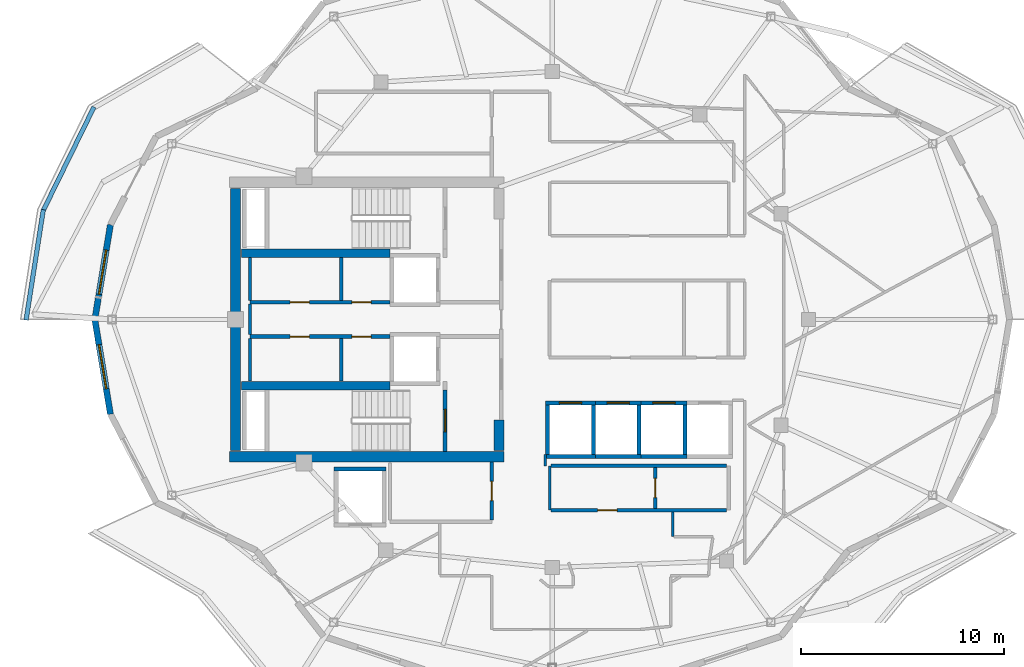
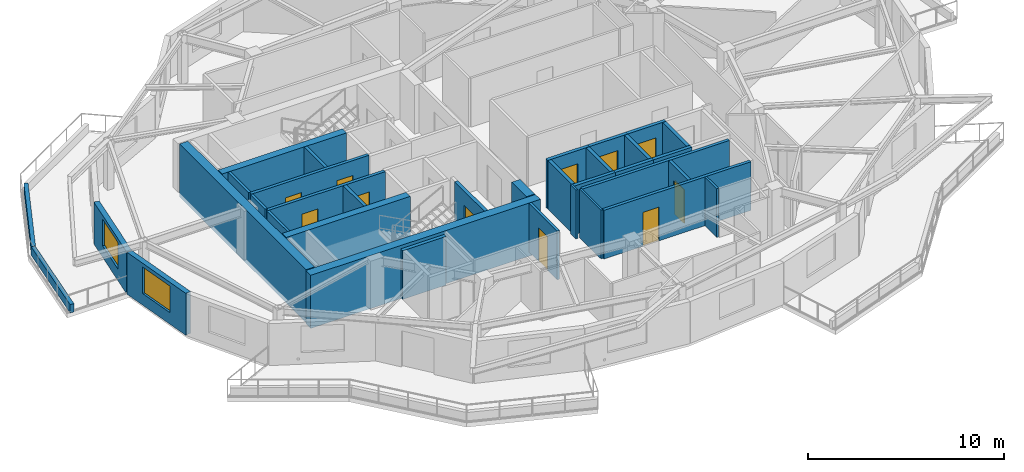
# One storey, part 4 of 9: 35 walls, 11 doors, 2 windows, 13 openings.
"""IFC4 building model written with IfcOpenShell, lengths in metres."""

from ifc_helpers import new_model, si_unit, direction, frame, frame_2d, origin, place, context, subcontext, project, spatial, rectangle, extrude, material, layer, layer_set, type_object, element, fill, save


model = new_model("IFC4")

# Units and contexts
model_context = context("Model", 3, precision=1e-05, world=origin(), true_north=direction((0.0, 1.0)))
body_context = subcontext(model_context, "Body", "Model", "MODEL_VIEW")
ifc_project = project(units=[si_unit("LENGTHUNIT", "METRE"), si_unit("AREAUNIT", "SQUARE_METRE"), si_unit("VOLUMEUNIT", "CUBIC_METRE"), si_unit("PLANEANGLEUNIT", "RADIAN"), si_unit("MASSUNIT", "GRAM", prefix="KILO")], contexts=[model_context])

# Site, building, storey
site_placement = place(None, origin())
site = spatial("IfcSite", under=ifc_project, at=site_placement, CompositionType="ELEMENT")
building_placement = place(site_placement, origin())
building = spatial("IfcBuilding", under=site, at=building_placement, Name="Kolvaren Gate Tower and Convention Centre", CompositionType="ELEMENT")
storey_placement = place(building_placement, frame((0.0, 0.0, 249.199951171875)))
storey = spatial("IfcBuildingStorey", under=building, at=storey_placement, Name="L67", CompositionType="ELEMENT", Elevation=249.199951171875)

# Wall, openings, doors
ifc_material_1 = material(Name="Autoclaved Aerated Masonry Blockwork Class 4 (4.0 MPa)", Category="masonry")
ifc_layer_1 = layer(ifc_material_1, 0.179931640625)
ifc_layer_set_1 = layer_set([ifc_layer_1], Name="Autoclaved Aerated Masonry Blockwork Class 4 (4.0 MPa)")
wall_type_1 = type_object("IfcWallType", Name="ARCH-WL-COMP-180", PredefinedType="SOLIDWALL", material=ifc_layer_set_1)
wall_1_placement = place(storey_placement, frame((15.25, 27.840087890625, 0.0), z_axis=(0.0, 0.0, 1.0), x_axis=(1.0, 0.0, 0.0)))
wall_1 = element("IfcWall", 1, at=wall_1_placement, inside=storey, type_object=wall_type_1, Name="Interior Partition WL-L67-INT-004", PredefinedType="SOLIDWALL", context=body_context, shape_type="SweptSolid", body=[
    extrude(rectangle(XDim=6.89990234375, YDim=0.179931640625, at=frame_2d((3.449951171875, 0.0))), origin(), (0.0, 0.0, 1.0), 3.030029296875),
])
opening_1_placement = place(wall_1_placement, frame((5.02001953125, 0.0, 0.0)))
opening_1 = element("IfcOpeningElement", 2, at=opening_1_placement, cuts=wall_1, Name="Opening DR-01", PredefinedType="OPENING", context=body_context, shape_type="SweptSolid", body=[
    extrude(rectangle(XDim=0.949951171875, YDim=2.10009765625, at=frame_2d((0.47509765625, 1.050048828125))), frame((0.0, 0.099853515625, 0.0), z_axis=(0.0, -1.0, 0.0), x_axis=(1.0, 0.0, 0.0)), (0.0, 0.0, 1.0), 0.199951171875),
])
opening_2_placement = place(wall_1_placement, frame((1.97998046875, 0.0, 0.0)))
opening_2 = element("IfcOpeningElement", 3, at=opening_2_placement, cuts=wall_1, Name="Opening DR-01", PredefinedType="OPENING", context=body_context, shape_type="SweptSolid", body=[
    extrude(rectangle(XDim=0.949951171875, YDim=2.10009765625, at=frame_2d((0.47509765625, 1.050048828125))), frame((0.0, 0.099853515625, 0.0), z_axis=(0.0, -1.0, 0.0), x_axis=(1.0, 0.0, 0.0)), (0.0, 0.0, 1.0), 0.199951171875),
])
ifc_material_2 = material(Name="Painted Architectural Steelwork ASTM A500 Grade C 345 MPa", Category="steel")
door_type_1 = type_object("IfcDoorType", Name="ARCH-DR-RISER-950", OperationType="SINGLE_SWING_RIGHT", PredefinedType="DOOR", material=ifc_material_2)
door_1_placement = place(opening_1_placement, origin())
door_1 = element("IfcDoor", 4, at=door_1_placement, inside=storey, type_object=door_type_1, Name="Electrical Switchgear Closet Door", OperationType="SINGLE_SWING_RIGHT", OverallHeight=2.10009765625, OverallWidth=0.949951171875, PredefinedType="DOOR", context=body_context, shape_type="SweptSolid", body=[
    extrude(rectangle(XDim=0.949951171875, YDim=2.10009765625, at=frame_2d((0.47509765625, 1.050048828125))), frame((0.0, 0.02490234375, 0.0), z_axis=(0.0, -1.0, 0.0), x_axis=(1.0, 0.0, 0.0)), (0.0, 0.0, 1.0), 0.050048828125),
])
fill(opening_1, door_1)
door_2_placement = place(opening_2_placement, origin())
door_2 = element("IfcDoor", 5, at=door_2_placement, inside=storey, type_object=door_type_1, Name="Staff Powder Washroom Door", OperationType="SINGLE_SWING_RIGHT", OverallHeight=2.10009765625, OverallWidth=0.949951171875, PredefinedType="DOOR", context=body_context, shape_type="SweptSolid", body=[
    extrude(rectangle(XDim=0.949951171875, YDim=2.10009765625, at=frame_2d((0.47509765625, 1.050048828125))), frame((0.0, 0.02490234375, 0.0), z_axis=(0.0, -1.0, 0.0), x_axis=(1.0, 0.0, 0.0)), (0.0, 0.0, 1.0), 0.050048828125),
])
fill(opening_2, door_2)

wall_2_placement = place(storey_placement, frame((15.25, 26.159912109375, 0.0), z_axis=(0.0, 0.0, 1.0), x_axis=(1.0, 0.0, 0.0)))
wall_2 = element("IfcWall", 6, at=wall_2_placement, inside=storey, type_object=wall_type_1, Name="Interior Partition WL-L67-INT-005", PredefinedType="SOLIDWALL", context=body_context, shape_type="SweptSolid", body=[
    extrude(rectangle(XDim=6.89990234375, YDim=0.179931640625, at=frame_2d((3.449951171875, 0.0))), origin(), (0.0, 0.0, 1.0), 3.030029296875),
])
opening_3_placement = place(wall_2_placement, frame((5.02001953125, 0.0, 0.0)))
opening_3 = element("IfcOpeningElement", 7, at=opening_3_placement, cuts=wall_2, Name="Opening DR-01", PredefinedType="OPENING", context=body_context, shape_type="SweptSolid", body=[
    extrude(rectangle(XDim=0.949951171875, YDim=2.10009765625, at=frame_2d((0.47509765625, 1.050048828125))), frame((0.0, 0.099853515625, 0.0), z_axis=(0.0, -1.0, 0.0), x_axis=(1.0, 0.0, 0.0)), (0.0, 0.0, 1.0), 0.199951171875),
])
opening_4_placement = place(wall_2_placement, frame((1.97998046875, 0.0, 0.0)))
opening_4 = element("IfcOpeningElement", 8, at=opening_4_placement, cuts=wall_2, Name="Opening DR-01", PredefinedType="OPENING", context=body_context, shape_type="SweptSolid", body=[
    extrude(rectangle(XDim=0.949951171875, YDim=2.10009765625, at=frame_2d((0.47509765625, 1.050048828125))), frame((0.0, 0.099853515625, 0.0), z_axis=(0.0, -1.0, 0.0), x_axis=(1.0, 0.0, 0.0)), (0.0, 0.0, 1.0), 0.199951171875),
])
door_3_placement = place(opening_3_placement, origin())
door_3 = element("IfcDoor", 9, at=door_3_placement, inside=storey, type_object=door_type_1, Name="Domestic Water Meter Closet Door", OperationType="SINGLE_SWING_LEFT", OverallHeight=2.10009765625, OverallWidth=0.949951171875, PredefinedType="DOOR", context=body_context, shape_type="SweptSolid", body=[
    extrude(rectangle(XDim=0.949951171875, YDim=2.10009765625, at=frame_2d((0.47509765625, 1.050048828125))), frame((0.0, 0.02490234375, 0.0), z_axis=(0.0, -1.0, 0.0), x_axis=(1.0, 0.0, 0.0)), (0.0, 0.0, 1.0), 0.050048828125),
])
fill(opening_3, door_3)
door_4_placement = place(opening_4_placement, origin())
door_4 = element("IfcDoor", 10, at=door_4_placement, inside=storey, type_object=door_type_1, Name="Janitor Equipment Store Door", OperationType="SINGLE_SWING_LEFT", OverallHeight=2.10009765625, OverallWidth=0.949951171875, PredefinedType="DOOR", context=body_context, shape_type="SweptSolid", body=[
    extrude(rectangle(XDim=0.949951171875, YDim=2.10009765625, at=frame_2d((0.47509765625, 1.050048828125))), frame((0.0, 0.02490234375, 0.0), z_axis=(0.0, -1.0, 0.0), x_axis=(1.0, 0.0, 0.0)), (0.0, 0.0, 1.0), 0.050048828125),
])
fill(opening_4, door_4)

# Walls
for number, where, z_axis, x_axis, name in (
    (11, (19.75, 23.9619140625, 0.0), (0.0, 0.0, 1.0), (0.0, 1.0, 0.0), "Interior Partition WL-L67-INT-007"),
    (12, (19.75, 27.931884765625, 0.0), (0.0, 0.0, 1.0), (0.0, 1.0, 0.0), "Interior Partition WL-L67-INT-008"),
):
    element("IfcWall", number, at=place(storey_placement, frame(where, z_axis=z_axis, x_axis=x_axis)), inside=storey, type_object=wall_type_1, Name=name, PredefinedType="SOLIDWALL", context=body_context, shape_type="SweptSolid", body=[
        extrude(rectangle(XDim=2.106201171875, YDim=0.179931640625, at=frame_2d((1.05322265625, 0.0))), origin(), (0.0, 0.0, 1.0), 3.030029296875),
    ])

# Wall, opening, door
wall_3_placement = place(storey_placement, frame((30.06201171875, 17.6201171875, 0.0), z_axis=(0.0, 0.0, 1.0), x_axis=(1.0, 0.0, 0.0)))
wall_3 = element("IfcWall", 13, at=wall_3_placement, inside=storey, type_object=wall_type_1, Name="Interior Partition WL-L67-INT-026", PredefinedType="SOLIDWALL", context=body_context, shape_type="SweptSolid", body=[
    extrude(rectangle(XDim=8.64599609375, YDim=0.179931640625, at=frame_2d((4.322998046875, 0.0))), origin(), (0.0, 0.0, 1.0), 3.030029296875),
])
opening_5_placement = place(wall_3_placement, frame((2.299072265625, 0.0, 0.0)))
opening_5 = element("IfcOpeningElement", 14, at=opening_5_placement, cuts=wall_3, Name="Opening DR-01", PredefinedType="OPENING", context=body_context, shape_type="SweptSolid", body=[
    extrude(rectangle(XDim=0.949951171875, YDim=2.10009765625, at=frame_2d((0.47509765625, 1.050048828125))), frame((0.0, 0.099853515625, 0.0), z_axis=(0.0, -1.0, 0.0), x_axis=(1.0, 0.0, 0.0)), (0.0, 0.0, 1.0), 0.199951171875),
])
door_5_placement = place(opening_5_placement, origin())
door_5 = element("IfcDoor", 15, at=door_5_placement, inside=storey, type_object=door_type_1, Name="Resident Quiet Library Door", OperationType="SINGLE_SWING_RIGHT", OverallHeight=2.10009765625, OverallWidth=0.949951171875, PredefinedType="DOOR", context=body_context, shape_type="SweptSolid", body=[
    extrude(rectangle(XDim=0.949951171875, YDim=2.10009765625, at=frame_2d((0.47509765625, 1.050048828125))), frame((0.0, 0.02490234375, 0.0), z_axis=(0.0, -1.0, 0.0), x_axis=(1.0, 0.0, 0.0)), (0.0, 0.0, 1.0), 0.050048828125),
])
fill(opening_5, door_5)

# Wall
wall_4_placement = place(storey_placement, frame((30.06201171875, 19.800048828125, 0.0), z_axis=(0.0, 0.0, 1.0), x_axis=(1.0, 0.0, 0.0)))
element("IfcWall", 16, at=wall_4_placement, inside=storey, type_object=wall_type_1, Name="Interior Partition WL-L67-INT-027", PredefinedType="SOLIDWALL", context=body_context, shape_type="SweptSolid", body=[
    extrude(rectangle(XDim=8.64599609375, YDim=0.179931640625, at=frame_2d((4.322998046875, 0.0))), origin(), (0.0, 0.0, 1.0), 3.030029296875),
])

# Wall, opening, door
wall_5_placement = place(storey_placement, frame((35.199951171875, 17.7119140625, 0.0), z_axis=(0.0, 0.0, 1.0), x_axis=(0.0, 1.0, 0.0)))
wall_5 = element("IfcWall", 17, at=wall_5_placement, inside=storey, type_object=wall_type_1, Name="Interior Partition WL-L67-INT-028", PredefinedType="SOLIDWALL", context=body_context, shape_type="SweptSolid", body=[
    extrude(rectangle(XDim=1.99609375, YDim=0.179931640625, at=frame_2d((0.998046875, 0.0))), origin(), (0.0, 0.0, 1.0), 3.030029296875),
])
opening_6_placement = place(wall_5_placement, frame((0.52294921875, 0.0, 0.0)))
opening_6 = element("IfcOpeningElement", 18, at=opening_6_placement, cuts=wall_5, Name="Opening DR-01", PredefinedType="OPENING", context=body_context, shape_type="SweptSolid", body=[
    extrude(rectangle(XDim=0.949951171875, YDim=2.10009765625, at=frame_2d((0.47509765625, 1.050048828125))), frame((0.0, 0.099853515625, 0.0), z_axis=(0.0, -1.0, 0.0), x_axis=(1.0, 0.0, 0.0)), (0.0, 0.0, 1.0), 0.199951171875),
])
door_6_placement = place(opening_6_placement, origin())
door_6 = element("IfcDoor", 19, at=door_6_placement, inside=storey, type_object=door_type_1, Name="Smart-Metering Room Door", OperationType="SINGLE_SWING_RIGHT", OverallHeight=2.10009765625, OverallWidth=0.949951171875, PredefinedType="DOOR", context=body_context, shape_type="SweptSolid", body=[
    extrude(rectangle(XDim=0.949951171875, YDim=2.10009765625, at=frame_2d((0.47509765625, 1.050048828125))), frame((0.0, 0.02490234375, 0.0), z_axis=(0.0, -1.0, 0.0), x_axis=(1.0, 0.0, 0.0)), (0.0, 0.0, 1.0), 0.050048828125),
])
fill(opening_6, door_6)

# Walls
ifc_material_3 = material(Name="Fire-Rated Acoustic Gypsum Stud Partition", Category="gypsum")
ifc_layer_2 = layer(ifc_material_3, 0.1201171875)
ifc_layer_set_2 = layer_set([ifc_layer_2], Name="Fire-Rated Acoustic Gypsum Stud Partition")
wall_type_2 = type_object("IfcWallType", Name="ARCH-WL-PART-120", PredefinedType="PARTITIONING", material=ifc_layer_set_2)
wall_6_placement = place(storey_placement, frame((30.0, 17.6201171875, 0.0), z_axis=(0.0, 0.0, 1.0), x_axis=(0.0, 1.0, 0.0)))
element("IfcWall", 20, at=wall_6_placement, inside=storey, type_object=wall_type_2, Name="Interior Partition WL-L67-INT-015", PredefinedType="PARTITIONING", context=body_context, shape_type="SweptSolid", body=[
    extrude(rectangle(XDim=2.179931640625, YDim=0.1201171875, at=frame_2d((1.08984375, 0.0))), origin(), (0.0, 0.0, 1.0), 3.030029296875),
])
wall_7_placement = place(storey_placement, frame((29.780029296875, 19.800048828125, 0.0), z_axis=(0.0, 0.0, 1.0), x_axis=(0.0, 1.0, 0.0)))
element("IfcWall", 21, at=wall_7_placement, inside=storey, type_object=wall_type_2, Name="Interior Partition WL-L67-INT-051", PredefinedType="PARTITIONING", context=body_context, shape_type="SweptSolid", body=[
    extrude(rectangle(XDim=0.56005859375, YDim=0.1201171875, at=frame_2d((0.280029296875, 0.0))), origin(), (0.0, 0.0, 1.0), 3.030029296875),
])
wall_8_placement = place(storey_placement, frame((36.050048828125, 16.320068359375, 0.0), z_axis=(0.0, 0.0, 1.0), x_axis=(0.0, 1.0, 0.0)))
element("IfcWall", 22, at=wall_8_placement, inside=storey, type_object=wall_type_2, Name="Interior Partition WL-L67-INT-052", PredefinedType="PARTITIONING", context=body_context, shape_type="SweptSolid", body=[
    extrude(rectangle(XDim=1.2080078125, YDim=0.1201171875, at=frame_2d((0.60400390625, 0.0))), origin(), (0.0, 0.0, 1.0), 3.030029296875),
])
ifc_material_4 = material(Name="Piedmont Cream Honed Limestone Cladding", Category="masonry")
ifc_layer_3 = layer(ifc_material_4, 0.219970703125)
ifc_layer_set_3 = layer_set([ifc_layer_3], Name="Piedmont Cream Honed Limestone Cladding")
wall_type_3 = type_object("IfcWallType", Name="ARCH-WL-PLANTER-220", PredefinedType="PARAPET", material=ifc_layer_set_3)
wall_9_placement = place(storey_placement, frame((5.078857421875, 32.337646484375, 0.0), z_axis=(0.0, 0.0, 1.0), x_axis=(0.440058847499, 0.897968936399, 0.0)))
element("IfcWall", 23, at=wall_9_placement, inside=storey, type_object=wall_type_3, Name="Vertical-Forest Balcony Stone Planter Kerb PK-L67-2.2", PredefinedType="PARAPET", context=body_context, shape_type="SweptSolid", body=[
    extrude(rectangle(XDim=5.689453125, YDim=0.219970703125, at=frame_2d((2.8447265625, 0.0))), origin(), (0.0, 0.0, 1.0), 0.52001953125),
])
wall_10_placement = place(storey_placement, frame((4.243408203125, 26.970703125, 0.0), z_axis=(0.0, 0.0, 1.0), x_axis=(0.154441975483, 0.988001860428, 0.0)))
element("IfcWall", 24, at=wall_10_placement, inside=storey, type_object=wall_type_3, Name="Vertical-Forest Balcony Stone Planter Kerb PK-L67-2.3", PredefinedType="PARAPET", context=body_context, shape_type="SweptSolid", body=[
    extrude(rectangle(XDim=5.49169921875, YDim=0.219970703125, at=frame_2d((2.745849609375, 0.0))), origin(), (0.0, 0.0, 1.0), 0.52001953125),
])
ifc_layer_4 = layer(ifc_material_1, 0.199951171875)
ifc_layer_set_4 = layer_set([ifc_layer_4], Name="Autoclaved Aerated Masonry Blockwork Class 4 (4.0 MPa)")
wall_type_4 = type_object("IfcWallType", Name="ARCH-WL-SHAFT-200", PredefinedType="SOLIDWALL", material=ifc_layer_set_4)
wall_11_placement = place(storey_placement, frame((19.39990234375, 19.64990234375, 0.0), z_axis=(0.0, 0.0, 1.0), x_axis=(1.0, 0.0, 0.0)))
element("IfcWall", 25, at=wall_11_placement, inside=storey, type_object=wall_type_4, Name="Elevator SV-01 L67 Fire Shaft Wall N", PredefinedType="SOLIDWALL", context=body_context, shape_type="SweptSolid", body=[
    extrude(rectangle(XDim=2.550048828125, YDim=0.199951171875, at=frame_2d((1.27490234375, 0.0))), origin(), (0.0, 0.0, 1.0), 3.030029296875),
])

# Wall, opening, door
wall_12_placement = place(storey_placement, frame((29.800048828125, 22.89990234375, 0.0), z_axis=(0.0, 0.0, 1.0), x_axis=(1.0, 0.0, 0.0)))
wall_12 = element("IfcWall", 26, at=wall_12_placement, inside=storey, type_object=wall_type_4, Name="Elevator PL-09 L67 Fire Shaft Wall N", PredefinedType="SOLIDWALL", context=body_context, shape_type="SweptSolid", body=[
    extrude(rectangle(XDim=2.449951171875, YDim=0.199951171875, at=frame_2d((1.22509765625, 0.0))), origin(), (0.0, 0.0, 1.0), 3.030029296875),
])
opening_7_placement = place(wall_12_placement, frame((0.675048828125, 0.0, 0.0)))
opening_7 = element("IfcOpeningElement", 27, at=opening_7_placement, cuts=wall_12, Name="Opening LD", PredefinedType="OPENING", context=body_context, shape_type="SweptSolid", body=[
    extrude(rectangle(XDim=1.10009765625, YDim=2.199951171875, at=frame_2d((0.550048828125, 1.10009765625))), frame((0.0, 0.10986328125, 0.0), z_axis=(0.0, -1.0, 0.0), x_axis=(1.0, 0.0, 0.0)), (0.0, 0.0, 1.0), 0.219970703125),
])
ifc_material_5 = material(Name="Brushed Stainless Steel Grade 316L", Category="steel")
door_type_2 = type_object("IfcDoorType", Name="ARCH-DR-LIFT-1100", OperationType="SLIDING_TO_LEFT", PredefinedType="DOOR", material=ifc_material_5)
door_7_placement = place(opening_7_placement, origin())
door_7 = element("IfcDoor", 28, at=door_7_placement, inside=storey, type_object=door_type_2, Name="Elevator PL-09 L67 Sliding Landing Door", OperationType="SLIDING_TO_LEFT", OverallHeight=2.199951171875, OverallWidth=1.10009765625, PredefinedType="DOOR", context=body_context, shape_type="SweptSolid", body=[
    extrude(rectangle(XDim=1.10009765625, YDim=2.199951171875, at=frame_2d((0.550048828125, 1.10009765625))), frame((0.0, 0.02490234375, 0.0), z_axis=(0.0, -1.0, 0.0), x_axis=(1.0, 0.0, 0.0)), (0.0, 0.0, 1.0), 0.050048828125),
])
fill(opening_7, door_7)

# Walls
wall_13_placement = place(storey_placement, frame((29.800048828125, 20.25, 0.0), z_axis=(0.0, 0.0, 1.0), x_axis=(1.0, 0.0, 0.0)))
element("IfcWall", 29, at=wall_13_placement, inside=storey, type_object=wall_type_4, Name="Elevator PL-09 L67 Fire Shaft Wall S", PredefinedType="SOLIDWALL", context=body_context, shape_type="SweptSolid", body=[
    extrude(rectangle(XDim=2.449951171875, YDim=0.199951171875, at=frame_2d((1.22509765625, 0.0))), origin(), (0.0, 0.0, 1.0), 3.030029296875),
])
for number, where, z_axis, x_axis, name in (
    (30, (29.89990234375, 20.360107421875, 0.0), (0.0, 0.0, 1.0), (0.0, 1.0, 0.0), "Elevator PL-09 L67 Fire Shaft Wall W"),
    (31, (32.14990234375, 20.360107421875, 0.0), (0.0, 0.0, 1.0), (0.0, 1.0, 0.0), "Elevator PL-09 L67 Fire Shaft Wall E"),
):
    element("IfcWall", number, at=place(storey_placement, frame(where, z_axis=z_axis, x_axis=x_axis)), inside=storey, type_object=wall_type_4, Name=name, PredefinedType="SOLIDWALL", context=body_context, shape_type="SweptSolid", body=[
        extrude(rectangle(XDim=2.429931640625, YDim=0.199951171875, at=frame_2d((1.21484375, 0.0))), origin(), (0.0, 0.0, 1.0), 3.030029296875),
    ])

# Wall, opening, door
wall_14_placement = place(storey_placement, frame((32.25, 22.89990234375, 0.0), z_axis=(0.0, 0.0, 1.0), x_axis=(1.0, 0.0, 0.0)))
wall_14 = element("IfcWall", 32, at=wall_14_placement, inside=storey, type_object=wall_type_4, Name="Elevator PL-10 L67 Fire Shaft Wall N", PredefinedType="SOLIDWALL", context=body_context, shape_type="SweptSolid", body=[
    extrude(rectangle(XDim=2.25, YDim=0.199951171875, at=frame_2d((1.125, 0.0))), origin(), (0.0, 0.0, 1.0), 3.030029296875),
])
opening_8_placement = place(wall_14_placement, frame((0.574951171875, 0.0, 0.0)))
opening_8 = element("IfcOpeningElement", 33, at=opening_8_placement, cuts=wall_14, Name="Opening LD", PredefinedType="OPENING", context=body_context, shape_type="SweptSolid", body=[
    extrude(rectangle(XDim=1.10009765625, YDim=2.199951171875, at=frame_2d((0.550048828125, 1.10009765625))), frame((0.0, 0.10986328125, 0.0), z_axis=(0.0, -1.0, 0.0), x_axis=(1.0, 0.0, 0.0)), (0.0, 0.0, 1.0), 0.219970703125),
])
door_8_placement = place(opening_8_placement, origin())
door_8 = element("IfcDoor", 34, at=door_8_placement, inside=storey, type_object=door_type_2, Name="Elevator PL-10 L67 Sliding Landing Door", OperationType="SLIDING_TO_LEFT", OverallHeight=2.199951171875, OverallWidth=1.10009765625, PredefinedType="DOOR", context=body_context, shape_type="SweptSolid", body=[
    extrude(rectangle(XDim=1.10009765625, YDim=2.199951171875, at=frame_2d((0.550048828125, 1.10009765625))), frame((0.0, 0.02490234375, 0.0), z_axis=(0.0, -1.0, 0.0), x_axis=(1.0, 0.0, 0.0)), (0.0, 0.0, 1.0), 0.050048828125),
])
fill(opening_8, door_8)

# Walls
wall_15_placement = place(storey_placement, frame((32.25, 20.25, 0.0), z_axis=(0.0, 0.0, 1.0), x_axis=(1.0, 0.0, 0.0)))
element("IfcWall", 35, at=wall_15_placement, inside=storey, type_object=wall_type_4, Name="Elevator PL-10 L67 Fire Shaft Wall S", PredefinedType="SOLIDWALL", context=body_context, shape_type="SweptSolid", body=[
    extrude(rectangle(XDim=2.25, YDim=0.199951171875, at=frame_2d((1.125, 0.0))), origin(), (0.0, 0.0, 1.0), 3.030029296875),
])
wall_16_placement = place(storey_placement, frame((34.39990234375, 20.360107421875, 0.0), z_axis=(0.0, 0.0, 1.0), x_axis=(0.0, 1.0, 0.0)))
element("IfcWall", 36, at=wall_16_placement, inside=storey, type_object=wall_type_4, Name="Elevator PL-10 L67 Fire Shaft Wall E", PredefinedType="SOLIDWALL", context=body_context, shape_type="SweptSolid", body=[
    extrude(rectangle(XDim=2.429931640625, YDim=0.199951171875, at=frame_2d((1.21484375, 0.0))), origin(), (0.0, 0.0, 1.0), 3.030029296875),
])

# Wall, opening, door
wall_17_placement = place(storey_placement, frame((34.5, 22.89990234375, 0.0), z_axis=(0.0, 0.0, 1.0), x_axis=(1.0, 0.0, 0.0)))
wall_17 = element("IfcWall", 37, at=wall_17_placement, inside=storey, type_object=wall_type_4, Name="Elevator PL-11 L67 Fire Shaft Wall N", PredefinedType="SOLIDWALL", context=body_context, shape_type="SweptSolid", body=[
    extrude(rectangle(XDim=2.25, YDim=0.199951171875, at=frame_2d((1.125, 0.0))), origin(), (0.0, 0.0, 1.0), 3.030029296875),
])
opening_9_placement = place(wall_17_placement, frame((0.574951171875, 0.0, 0.0)))
opening_9 = element("IfcOpeningElement", 38, at=opening_9_placement, cuts=wall_17, Name="Opening LD", PredefinedType="OPENING", context=body_context, shape_type="SweptSolid", body=[
    extrude(rectangle(XDim=1.10009765625, YDim=2.199951171875, at=frame_2d((0.550048828125, 1.10009765625))), frame((0.0, 0.10986328125, 0.0), z_axis=(0.0, -1.0, 0.0), x_axis=(1.0, 0.0, 0.0)), (0.0, 0.0, 1.0), 0.219970703125),
])
door_9_placement = place(opening_9_placement, origin())
door_9 = element("IfcDoor", 39, at=door_9_placement, inside=storey, type_object=door_type_2, Name="Elevator PL-11 L67 Sliding Landing Door", OperationType="SLIDING_TO_LEFT", OverallHeight=2.199951171875, OverallWidth=1.10009765625, PredefinedType="DOOR", context=body_context, shape_type="SweptSolid", body=[
    extrude(rectangle(XDim=1.10009765625, YDim=2.199951171875, at=frame_2d((0.550048828125, 1.10009765625))), frame((0.0, 0.02490234375, 0.0), z_axis=(0.0, -1.0, 0.0), x_axis=(1.0, 0.0, 0.0)), (0.0, 0.0, 1.0), 0.050048828125),
])
fill(opening_9, door_9)

# Walls
wall_18_placement = place(storey_placement, frame((34.5, 20.25, 0.0), z_axis=(0.0, 0.0, 1.0), x_axis=(1.0, 0.0, 0.0)))
element("IfcWall", 40, at=wall_18_placement, inside=storey, type_object=wall_type_4, Name="Elevator PL-11 L67 Fire Shaft Wall S", PredefinedType="SOLIDWALL", context=body_context, shape_type="SweptSolid", body=[
    extrude(rectangle(XDim=2.25, YDim=0.199951171875, at=frame_2d((1.125, 0.0))), origin(), (0.0, 0.0, 1.0), 3.030029296875),
])
wall_19_placement = place(storey_placement, frame((36.64990234375, 20.360107421875, 0.0), z_axis=(0.0, 0.0, 1.0), x_axis=(0.0, 1.0, 0.0)))
element("IfcWall", 41, at=wall_19_placement, inside=storey, type_object=wall_type_4, Name="Elevator PL-11 L67 Fire Shaft Wall E", PredefinedType="SOLIDWALL", context=body_context, shape_type="SweptSolid", body=[
    extrude(rectangle(XDim=2.429931640625, YDim=0.199951171875, at=frame_2d((1.21484375, 0.0))), origin(), (0.0, 0.0, 1.0), 3.030029296875),
])

# Wall, opening, window
ifc_layer_5 = layer(ifc_material_4, 0.300048828125)
ifc_layer_set_5 = layer_set([ifc_layer_5], Name="Piedmont Cream Honed Limestone Cladding")
wall_type_5 = type_object("IfcWallType", Name="ARCH-WL-STONE-300", PredefinedType="SOLIDWALL", material=ifc_layer_set_5)
wall_20_placement = place(storey_placement, frame((7.625, 27.0, 0.0), z_axis=(0.0, 0.0, 1.0), x_axis=(0.162369371657, 0.986730047758, 0.0)))
wall_20 = element("IfcWall", 42, at=wall_20_placement, inside=storey, type_object=wall_type_5, Name="Tower L67 Honed Stone Spandrel Wall EW-11", PredefinedType="SOLIDWALL", context=body_context, shape_type="SweptSolid", body=[
    extrude(rectangle(XDim=4.721435546875, YDim=0.300048828125, at=frame_2d((2.36083984375, 0.0))), origin(), (0.0, 0.0, 1.0), 2.60498046875),
])
opening_10_placement = place(wall_20_placement, frame((1.260986328125, 0.0, 0.719970703125)))
opening_10 = element("IfcOpeningElement", 43, at=opening_10_placement, cuts=wall_20, Name="Opening W-03", PredefinedType="OPENING", context=body_context, shape_type="SweptSolid", body=[
    extrude(rectangle(XDim=2.199951171875, YDim=1.64990234375, at=frame_2d((1.10009765625, 0.824951171875))), frame((0.0, 0.159912109375, 0.0), z_axis=(0.0, -1.0, 0.0), x_axis=(1.0, 0.0, 0.0)), (0.0, 0.0, 1.0), 0.320068359375),
])
ifc_material_6 = material(Name="Low-E Triple Insulated Glazing Unit 44 mm", Category="glass")
window_type = type_object("IfcWindowType", Name="ARCH-WN-RES-2200", PartitioningType="SINGLE_PANEL", PredefinedType="WINDOW", material=ifc_material_6)
window_1_placement = place(opening_10_placement, origin())
window_1 = element("IfcWindow", 44, at=window_1_placement, inside=storey, type_object=window_type, Name="Tower L67 Punched Stone Facade Window W-11", OverallHeight=1.64990234375, OverallWidth=2.199951171875, PartitioningType="SINGLE_PANEL", PredefinedType="WINDOW", context=body_context, shape_type="SweptSolid", body=[
    extrude(rectangle(XDim=2.199951171875, YDim=1.64990234375, at=frame_2d((1.10009765625, 0.824951171875))), frame((0.0, 0.030029296875, 0.0), z_axis=(0.0, -1.0, 0.0), x_axis=(1.0, 0.0, 0.0)), (0.0, 0.0, 1.0), 0.06005859375),
])
fill(opening_10, window_1)

wall_21_placement = place(storey_placement, frame((7.625, 27.0, 0.0), z_axis=(0.0, 0.0, 1.0), x_axis=(0.162369371657, -0.986730047758, 0.0)))
wall_21 = element("IfcWall", 45, at=wall_21_placement, inside=storey, type_object=wall_type_5, Name="Tower L67 Honed Stone Spandrel Wall EW-12", PredefinedType="SOLIDWALL", context=body_context, shape_type="SweptSolid", body=[
    extrude(rectangle(XDim=4.721435546875, YDim=0.300048828125, at=frame_2d((2.36083984375, 0.0))), origin(), (0.0, 0.0, 1.0), 2.60498046875),
])
opening_11_placement = place(wall_21_placement, frame((1.260986328125, 0.0, 0.719970703125)))
opening_11 = element("IfcOpeningElement", 46, at=opening_11_placement, cuts=wall_21, Name="Opening W-03", PredefinedType="OPENING", context=body_context, shape_type="SweptSolid", body=[
    extrude(rectangle(XDim=2.199951171875, YDim=1.64990234375, at=frame_2d((1.10009765625, 0.824951171875))), frame((0.0, 0.159912109375, 0.0), z_axis=(0.0, -1.0, 0.0), x_axis=(1.0, 0.0, 0.0)), (0.0, 0.0, 1.0), 0.320068359375),
])
window_2_placement = place(opening_11_placement, origin())
window_2 = element("IfcWindow", 47, at=window_2_placement, inside=storey, type_object=window_type, Name="Tower L67 Punched Stone Facade Window W-12", OverallHeight=1.64990234375, OverallWidth=2.199951171875, PartitioningType="SINGLE_PANEL", PredefinedType="WINDOW", context=body_context, shape_type="SweptSolid", body=[
    extrude(rectangle(XDim=2.199951171875, YDim=1.64990234375, at=frame_2d((1.10009765625, 0.824951171875))), frame((0.0, 0.030029296875, 0.0), z_axis=(0.0, -1.0, 0.0), x_axis=(1.0, 0.0, 0.0)), (0.0, 0.0, 1.0), 0.06005859375),
])
fill(opening_11, window_2)

# Walls
ifc_material_7 = material(Name="Moisture-Resistant Cement-Board Acoustic Partition", Category="gypsum")
ifc_layer_6 = layer(ifc_material_7, 0.14990234375)
ifc_layer_set_6 = layer_set([ifc_layer_6], Name="Moisture-Resistant Cement-Board Acoustic Partition")
wall_type_6 = type_object("IfcWallType", Name="ARCH-WL-WET-150", PredefinedType="PARTITIONING", material=ifc_layer_set_6)
wall_22_placement = place(storey_placement, frame((15.25, 23.9619140625, 0.0), z_axis=(0.0, 0.0, 1.0), x_axis=(0.0, 1.0, 0.0)))
element("IfcWall", 48, at=wall_22_placement, inside=storey, type_object=wall_type_6, Name="Interior Partition WL-L67-INT-006", PredefinedType="PARTITIONING", context=body_context, shape_type="SweptSolid", body=[
    extrude(rectangle(XDim=2.106201171875, YDim=0.14990234375, at=frame_2d((1.05322265625, 0.0))), origin(), (0.0, 0.0, 1.0), 3.030029296875),
])
wall_23_placement = place(storey_placement, frame((15.25, 26.251953125, 0.0), z_axis=(0.0, 0.0, 1.0), x_axis=(0.0, 1.0, 0.0)))
element("IfcWall", 49, at=wall_23_placement, inside=storey, type_object=wall_type_6, Name="Interior Partition WL-L67-INT-006 (2)", PredefinedType="PARTITIONING", context=body_context, shape_type="SweptSolid", body=[
    extrude(rectangle(XDim=1.49609375, YDim=0.14990234375, at=frame_2d((0.748046875, 0.0))), origin(), (0.0, 0.0, 1.0), 3.030029296875),
])
wall_24_placement = place(storey_placement, frame((15.25, 27.931884765625, 0.0), z_axis=(0.0, 0.0, 1.0), x_axis=(0.0, 1.0, 0.0)))
element("IfcWall", 50, at=wall_24_placement, inside=storey, type_object=wall_type_6, Name="Interior Partition WL-L67-INT-006 (3)", PredefinedType="PARTITIONING", context=body_context, shape_type="SweptSolid", body=[
    extrude(rectangle(XDim=2.106201171875, YDim=0.14990234375, at=frame_2d((1.05322265625, 0.0))), origin(), (0.0, 0.0, 1.0), 3.030029296875),
])

# Wall, opening, door
wall_25_placement = place(storey_placement, frame((27.14990234375, 17.126953125, 0.0), z_axis=(0.0, 0.0, 1.0), x_axis=(0.0, 1.0, 0.0)))
wall_25 = element("IfcWall", 51, at=wall_25_placement, inside=storey, type_object=wall_type_6, Name="Interior Partition WL-L67-INT-012", PredefinedType="PARTITIONING", context=body_context, shape_type="SweptSolid", body=[
    extrude(rectangle(XDim=2.87109375, YDim=0.14990234375, at=frame_2d((1.435546875, 0.0))), origin(), (0.0, 0.0, 1.0), 3.030029296875),
])
opening_12_placement = place(wall_25_placement, frame((0.96044921875, 0.0, 0.0)))
opening_12 = element("IfcOpeningElement", 52, at=opening_12_placement, cuts=wall_25, Name="Opening DR-01", PredefinedType="OPENING", context=body_context, shape_type="SweptSolid", body=[
    extrude(rectangle(XDim=0.949951171875, YDim=2.10009765625, at=frame_2d((0.47509765625, 1.050048828125))), frame((0.0, 0.0849609375, 0.0), z_axis=(0.0, -1.0, 0.0), x_axis=(1.0, 0.0, 0.0)), (0.0, 0.0, 1.0), 0.169921875),
])
door_10_placement = place(opening_12_placement, origin())
door_10 = element("IfcDoor", 53, at=door_10_placement, inside=storey, type_object=door_type_1, Name="West Linen and Supply Store Door", OperationType="SINGLE_SWING_RIGHT", OverallHeight=2.10009765625, OverallWidth=0.949951171875, PredefinedType="DOOR", context=body_context, shape_type="SweptSolid", body=[
    extrude(rectangle(XDim=0.949951171875, YDim=2.10009765625, at=frame_2d((0.47509765625, 1.050048828125))), frame((0.0, 0.02490234375, 0.0), z_axis=(0.0, -1.0, 0.0), x_axis=(1.0, 0.0, 0.0)), (0.0, 0.0, 1.0), 0.050048828125),
])
fill(opening_12, door_10)

# Walls
ifc_material_8 = material(Name="Concrete C50/60", Category="concrete")
ifc_layer_7 = layer(ifc_material_8, 0.419921875)
ifc_layer_set_7 = layer_set([ifc_layer_7], Name="Concrete C50/60")
wall_type_7 = type_object("IfcWallType", Name="STR-WL-CONV-420", PredefinedType="SHEAR", material=ifc_layer_set_7)
for number, where, z_axis, x_axis, name in (
    (54, (14.85009765625, 30.25, -0.27001953125), (0.0, 0.0, 1.0), (1.0, 0.0, 0.0), "Tower L67 Offset Core Shear Wall WN"),
    (55, (14.85009765625, 23.75, -0.27001953125), (0.0, 0.0, 1.0), (1.0, 0.0, 0.0), "Tower L67 Offset Core Shear Wall WS"),
):
    element("IfcWall", number, at=place(storey_placement, frame(where, z_axis=z_axis, x_axis=x_axis)), inside=storey, type_object=wall_type_7, Name=name, PredefinedType="SHEAR", context=body_context, shape_type="SweptSolid", body=[
        extrude(rectangle(XDim=7.2998046875, YDim=0.419921875, at=frame_2d((3.64990234375, 0.0))), origin(), (0.0, 0.0, 1.0), 3.300048828125),
    ])
ifc_layer_8 = layer(ifc_material_8, 0.5)
ifc_layer_set_8 = layer_set([ifc_layer_8], Name="Concrete C50/60")
wall_type_8 = type_object("IfcWallType", Name="STR-WL-CORE-500", PredefinedType="SHEAR", material=ifc_layer_set_8)
wall_26_placement = place(storey_placement, frame((14.25, 20.25, -0.27001953125), z_axis=(0.0, 0.0, 1.0), x_axis=(1.0, 0.0, 0.0)))
element("IfcWall", 56, at=wall_26_placement, inside=storey, type_object=wall_type_8, Name="Tower L67 Offset Core Shear Wall S", PredefinedType="SHEAR", context=body_context, shape_type="SweptSolid", body=[
    extrude(rectangle(XDim=13.5, YDim=0.5, at=frame_2d((6.75, 0.0))), origin(), (0.0, 0.0, 1.0), 3.300048828125),
])
wall_27_placement = place(storey_placement, frame((14.550048828125, 20.550048828125, -0.27001953125), z_axis=(0.0, 0.0, 1.0), x_axis=(0.0, 1.0, 0.0)))
element("IfcWall", 57, at=wall_27_placement, inside=storey, type_object=wall_type_8, Name="Tower L67 Offset Core Shear Wall W", PredefinedType="SHEAR", context=body_context, shape_type="SweptSolid", body=[
    extrude(rectangle(XDim=12.89990234375, YDim=0.5, at=frame_2d((6.449951171875, 0.0))), origin(), (0.0, 0.0, 1.0), 3.300048828125),
])
wall_28_placement = place(storey_placement, frame((27.5, 20.550048828125, -0.27001953125), z_axis=(0.0, 0.0, 1.0), x_axis=(0.0, 1.0, 0.0)))
element("IfcWall", 58, at=wall_28_placement, inside=storey, type_object=wall_type_8, Name="Tower L67 Offset Core Shear Wall ES", PredefinedType="SHEAR", context=body_context, shape_type="SweptSolid", body=[
    extrude(rectangle(XDim=1.5, YDim=0.5, at=frame_2d((0.75, 0.0))), origin(), (0.0, 0.0, 1.0), 3.300048828125),
])

# Wall, opening, door
ifc_layer_9 = layer(ifc_material_8, 0.199951171875)
ifc_layer_set_9 = layer_set([ifc_layer_9], Name="Concrete C50/60")
wall_type_9 = type_object("IfcWallType", Name="STR-WL-SHAFT-200", PredefinedType="SHEAR", material=ifc_layer_set_9)
wall_29_placement = place(storey_placement, frame((24.85009765625, 20.501953125, -0.27001953125), z_axis=(0.0, 0.0, 1.0), x_axis=(0.0, 1.0, 0.0)))
wall_29 = element("IfcWall", 59, at=wall_29_placement, inside=storey, type_object=wall_type_9, Name="Tower South Exit Stair ST-T2 L67 Structural Shear Enclosure Wall NEAR", PredefinedType="SHEAR", context=body_context, shape_type="SweptSolid", body=[
    extrude(rectangle(XDim=3.0380859375, YDim=0.199951171875, at=frame_2d((1.51904296875, 0.0))), origin(), (0.0, 0.0, 1.0), 3.300048828125),
])
opening_13_placement = place(wall_29_placement, frame((0.968994140625, 0.0, 0.27001953125)))
opening_13 = element("IfcOpeningElement", 60, at=opening_13_placement, cuts=wall_29, Name="Opening DS-01", PredefinedType="OPENING", context=body_context, shape_type="SweptSolid", body=[
    extrude(rectangle(XDim=1.10009765625, YDim=2.14990234375, at=frame_2d((0.550048828125, 1.074951171875))), frame((0.0, 0.10986328125, 0.0), z_axis=(0.0, -1.0, 0.0), x_axis=(1.0, 0.0, 0.0)), (0.0, 0.0, 1.0), 0.219970703125),
])
door_type_3 = type_object("IfcDoorType", Name="ARCH-DR-STAIR-1100", OperationType="SINGLE_SWING_LEFT", PredefinedType="DOOR", material=ifc_material_2)
door_11_placement = place(opening_13_placement, origin())
door_11 = element("IfcDoor", 61, at=door_11_placement, inside=storey, type_object=door_type_3, Name="Tower South Exit Stair ST-T2 L67 Fire Exit Stair Door", OperationType="SINGLE_SWING_LEFT", OverallHeight=2.14990234375, OverallWidth=1.10009765625, PredefinedType="DOOR", context=body_context, shape_type="SweptSolid", body=[
    extrude(rectangle(XDim=1.10009765625, YDim=2.14990234375, at=frame_2d((0.550048828125, 1.074951171875))), frame((0.0, 0.02490234375, 0.0), z_axis=(0.0, -1.0, 0.0), x_axis=(1.0, 0.0, 0.0)), (0.0, 0.0, 1.0), 0.050048828125),
])
fill(opening_13, door_11)

save(model, "model.ifc")
